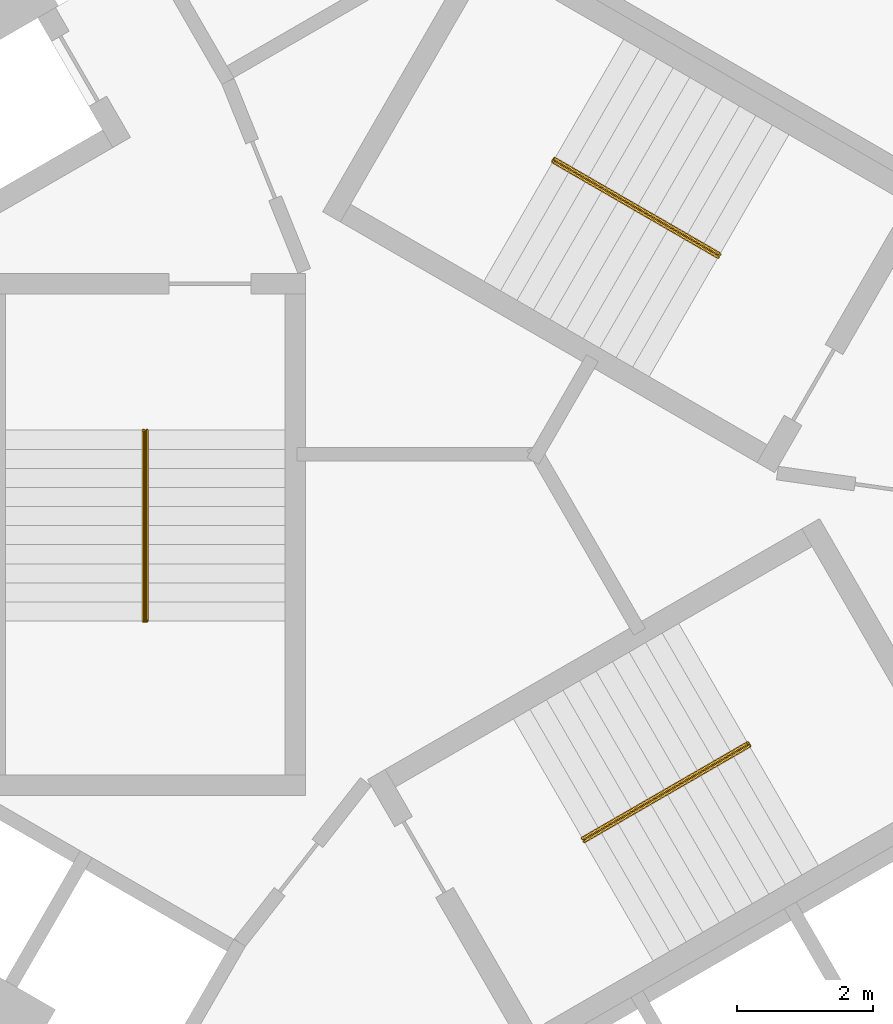
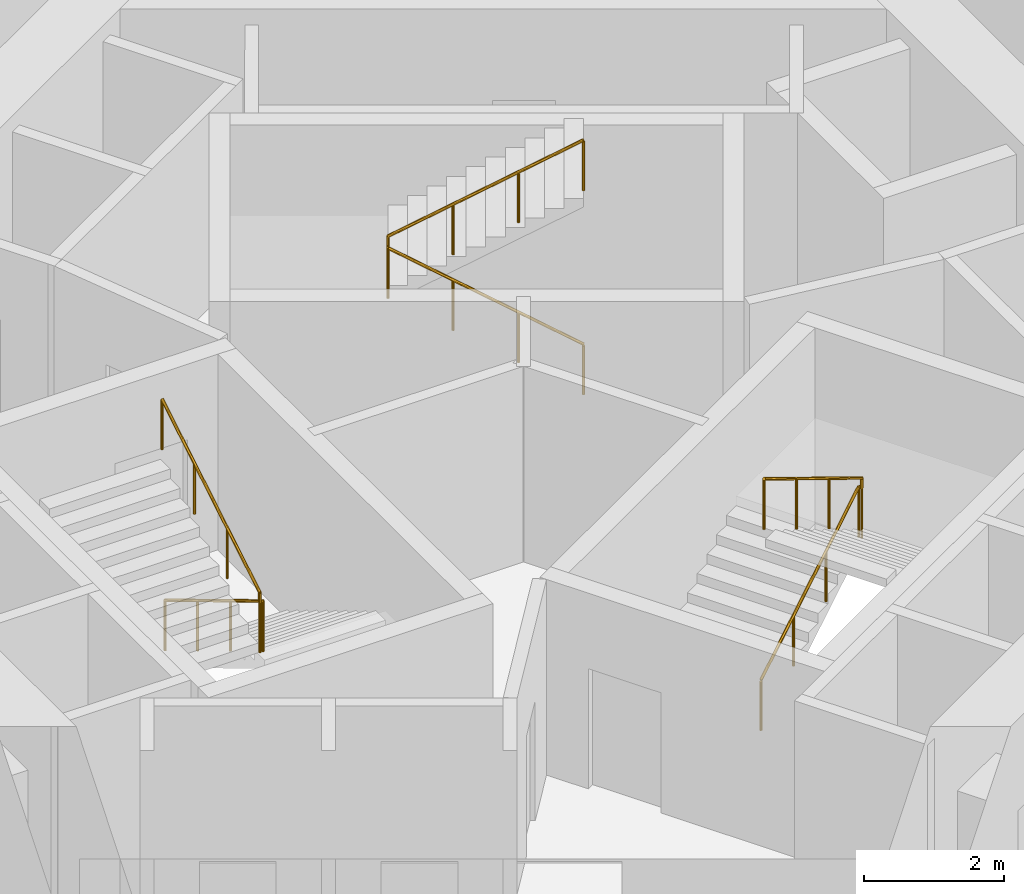
# One storey, part 11 of 11: 3 railings.
"""IFC4 building model written with IfcOpenShell, lengths in metres."""

from ifc_helpers import new_model, si_unit, direction, frame, origin, origin_2d, place, context, subcontext, project, spatial, circle, extrude, material, type_object, element, save


model = new_model("IFC4")

# Units and contexts
model_context = context("Model", 3, precision=1e-05, world=origin(), true_north=direction((0.0, 1.0)))
body_context = subcontext(model_context, "Body", "Model", "MODEL_VIEW")
ifc_project = project(units=[si_unit("LENGTHUNIT", "METRE"), si_unit("AREAUNIT", "SQUARE_METRE"), si_unit("VOLUMEUNIT", "CUBIC_METRE"), si_unit("PLANEANGLEUNIT", "RADIAN"), si_unit("MASSUNIT", "GRAM", prefix="KILO")], contexts=[model_context])

# Site, building, storey
site_placement = place(None, origin())
site = spatial("IfcSite", under=ifc_project, at=site_placement, CompositionType="ELEMENT")
building_placement = place(site_placement, origin())
building = spatial("IfcBuilding", under=site, at=building_placement, Name="Vanh Sen Convention Tower", CompositionType="ELEMENT")
storey_placement = place(building_placement, frame((0.0, 0.0, 187.300048828125)))
storey = spatial("IfcBuildingStorey", under=building, at=storey_placement, Name="L46", CompositionType="ELEMENT", Elevation=187.300048828125)

# Railings
ifc_material = material(Name="Stainless steel handrail", Category="steel")
railing_type = type_object("IfcRailingType", Name="Stair handrail 900", PredefinedType="HANDRAIL", material=ifc_material)
railing_1_placement = place(storey_placement, frame((3.45849609375, 3.690185546875, 0.168212890625)))
element("IfcRailing", 1, at=railing_1_placement, inside=storey, type_object=railing_type, Name="Stair handrail ST1 L46", PredefinedType="HANDRAIL", context=body_context, shape_type="SweptSolid", body=[
    extrude(circle(Radius=0.02392578125, at=origin_2d()), frame((0.0, 0.0, 0.8759765625), z_axis=(-0.74241905619, 0.428617687091, 0.514879426), x_axis=(-0.49998411664, -0.866034573852, 0.0)), (0.0, 0.0, 1.0), 3.26611328125),
    extrude(circle(Radius=0.02392578125, at=origin_2d()), frame((-2.4248046875, 1.39990234375, 2.5576171875), z_axis=(0.497188445666, 0.867642581652, 0.0), x_axis=(-0.867642581652, 0.497188445666, 0.0)), (0.0, 0.0, 1.0), 0.050048828125),
    extrude(circle(Radius=0.02392578125, at=origin_2d()), frame((-2.39990234375, 1.443359375, 2.5576171875), z_axis=(0.0, 0.0, 1.0), x_axis=(1.0, 0.0, 0.0)), (0.0, 0.0, 1.0), 0.168212890625),
    extrude(circle(Radius=0.02392578125, at=origin_2d()), frame((-2.39990234375, 1.443359375, 2.7255859375), z_axis=(0.742366697286, -0.42866220388, 0.514917859203), x_axis=(0.500049511043, 0.865996816683, 0.0)), (0.0, 0.0, 1.0), 3.266357421875),
    extrude(circle(Radius=0.02099609375, at=origin_2d()), origin(), (0.0, 0.0, 1.0), 0.851806640625),
    extrude(circle(Radius=0.02099609375, at=origin_2d()), frame((-0.808349609375, 0.466552734375, 0.560546875)), (0.0, 0.0, 1.0), 0.851806640625),
    extrude(circle(Radius=0.02099609375, at=origin_2d()), frame((-1.616455078125, 0.933349609375, 1.12109375)), (0.0, 0.0, 1.0), 0.851806640625),
    extrude(circle(Radius=0.02099609375, at=origin_2d()), frame((-2.4248046875, 1.39990234375, 1.681640625)), (0.0, 0.0, 1.0), 0.851806640625),
    extrude(circle(Radius=0.02099609375, at=origin_2d()), frame((-2.39990234375, 1.443359375, 1.681640625)), (0.0, 0.0, 1.0), 0.851806640625),
    extrude(circle(Radius=0.02099609375, at=origin_2d()), frame((-2.39990234375, 1.443359375, 1.849853515625)), (0.0, 0.0, 1.0), 0.851806640625),
    extrude(circle(Radius=0.02099609375, at=origin_2d()), frame((-1.591552734375, 0.9765625, 2.410400390625)), (0.0, 0.0, 1.0), 0.851806640625),
    extrude(circle(Radius=0.02099609375, at=origin_2d()), frame((-0.783447265625, 0.510009765625, 2.97119140625)), (0.0, 0.0, 1.0), 0.851806640625),
    extrude(circle(Radius=0.02099609375, at=origin_2d()), frame((0.02490234375, 0.043212890625, 3.53173828125)), (0.0, 0.0, 1.0), 0.851806640625),
])
railing_2_placement = place(storey_placement, frame((-4.925048828125, 1.14990234375, 0.168212890625)))
element("IfcRailing", 2, at=railing_2_placement, inside=storey, type_object=railing_type, Name="Stair handrail ST2 L46", PredefinedType="HANDRAIL", context=body_context, shape_type="SweptSolid", body=[
    extrude(circle(Radius=0.02392578125, at=origin_2d()), frame((0.0, 0.0, 0.8759765625), z_axis=(0.0, -0.857255387014, 0.514891446264), x_axis=(1.0, 0.0, 0.0)), (0.0, 0.0, 1.0), 3.26611328125),
    extrude(circle(Radius=0.02392578125, at=origin_2d()), frame((0.0, -2.7998046875, 2.5576171875), z_axis=(-1.0, 0.0, 0.0), x_axis=(0.0, -1.0, 0.0)), (0.0, 0.0, 1.0), 0.050048828125),
    extrude(circle(Radius=0.02392578125, at=origin_2d()), frame((-0.050048828125, -2.7998046875, 2.5576171875), z_axis=(0.0, 0.0, 1.0), x_axis=(1.0, 0.0, 0.0)), (0.0, 0.0, 1.0), 0.168212890625),
    extrude(circle(Radius=0.02392578125, at=origin_2d()), frame((-0.050048828125, -2.7998046875, 2.7255859375), z_axis=(0.0, 0.857222391501, 0.514946377315), x_axis=(-1.0, 0.0, 0.0)), (0.0, 0.0, 1.0), 3.26611328125),
    extrude(circle(Radius=0.02099609375, at=origin_2d()), origin(), (0.0, 0.0, 1.0), 0.851806640625),
    extrude(circle(Radius=0.02099609375, at=origin_2d()), frame((0.0, -0.933349609375, 0.560546875)), (0.0, 0.0, 1.0), 0.851806640625),
    extrude(circle(Radius=0.02099609375, at=origin_2d()), frame((0.0, -1.866455078125, 1.12109375)), (0.0, 0.0, 1.0), 0.851806640625),
    extrude(circle(Radius=0.02099609375, at=origin_2d()), frame((0.0, -2.7998046875, 1.681640625)), (0.0, 0.0, 1.0), 0.851806640625),
    extrude(circle(Radius=0.02099609375, at=origin_2d()), frame((-0.050048828125, -2.7998046875, 1.681640625)), (0.0, 0.0, 1.0), 0.851806640625),
    extrude(circle(Radius=0.02099609375, at=origin_2d()), frame((-0.050048828125, -2.7998046875, 1.849853515625)), (0.0, 0.0, 1.0), 0.851806640625),
    extrude(circle(Radius=0.02099609375, at=origin_2d()), frame((-0.050048828125, -1.866455078125, 2.410400390625)), (0.0, 0.0, 1.0), 0.851806640625),
    extrude(circle(Radius=0.02099609375, at=origin_2d()), frame((-0.050048828125, -0.933349609375, 2.97119140625)), (0.0, 0.0, 1.0), 0.851806640625),
    extrude(circle(Radius=0.02099609375, at=origin_2d()), frame((-0.050048828125, 0.0, 3.53173828125)), (0.0, 0.0, 1.0), 0.851806640625),
])
railing_3_placement = place(storey_placement, frame((1.466552734375, -4.840087890625, 0.168212890625)))
element("IfcRailing", 3, at=railing_3_placement, inside=storey, type_object=railing_type, Name="Stair handrail ST3 L46", PredefinedType="HANDRAIL", context=body_context, shape_type="SweptSolid", body=[
    extrude(circle(Radius=0.02392578125, at=origin_2d()), frame((0.0, 0.0, 0.8759765625), z_axis=(0.74241905619, 0.428617687091, 0.514879426), x_axis=(-0.49998411664, 0.866034573852, 0.0)), (0.0, 0.0, 1.0), 3.26611328125),
    extrude(circle(Radius=0.02392578125, at=origin_2d()), frame((2.4248046875, 1.39990234375, 2.5576171875), z_axis=(0.502959906984, -0.86430974307, 0.0), x_axis=(0.86430974307, 0.502959906984, 0.0)), (0.0, 0.0, 1.0), 0.050048828125),
    extrude(circle(Radius=0.02392578125, at=origin_2d()), frame((2.449951171875, 1.356689453125, 2.5576171875), z_axis=(0.0, 0.0, 1.0), x_axis=(1.0, 0.0, 0.0)), (0.0, 0.0, 1.0), 0.168212890625),
    extrude(circle(Radius=0.02392578125, at=origin_2d()), frame((2.449951171875, 1.356689453125, 2.7255859375), z_axis=(-0.742366697286, -0.42866220388, 0.514917859203), x_axis=(0.500049511043, -0.865996816683, 0.0)), (0.0, 0.0, 1.0), 3.266357421875),
    extrude(circle(Radius=0.02099609375, at=origin_2d()), origin(), (0.0, 0.0, 1.0), 0.851806640625),
    extrude(circle(Radius=0.02099609375, at=origin_2d()), frame((0.808349609375, 0.466552734375, 0.560546875)), (0.0, 0.0, 1.0), 0.851806640625),
    extrude(circle(Radius=0.02099609375, at=origin_2d()), frame((1.616455078125, 0.933349609375, 1.12109375)), (0.0, 0.0, 1.0), 0.851806640625),
    extrude(circle(Radius=0.02099609375, at=origin_2d()), frame((2.4248046875, 1.39990234375, 1.681640625)), (0.0, 0.0, 1.0), 0.851806640625),
    extrude(circle(Radius=0.02099609375, at=origin_2d()), frame((2.449951171875, 1.356689453125, 1.681640625)), (0.0, 0.0, 1.0), 0.851806640625),
    extrude(circle(Radius=0.02099609375, at=origin_2d()), frame((2.449951171875, 1.356689453125, 1.849853515625)), (0.0, 0.0, 1.0), 0.851806640625),
    extrude(circle(Radius=0.02099609375, at=origin_2d()), frame((1.6416015625, 0.889892578125, 2.410400390625)), (0.0, 0.0, 1.0), 0.851806640625),
    extrude(circle(Radius=0.02099609375, at=origin_2d()), frame((0.83349609375, 0.42333984375, 2.97119140625)), (0.0, 0.0, 1.0), 0.851806640625),
    extrude(circle(Radius=0.02099609375, at=origin_2d()), frame((0.025146484375, -0.04345703125, 3.53173828125)), (0.0, 0.0, 1.0), 0.851806640625),
])

save(model, "model.ifc")
